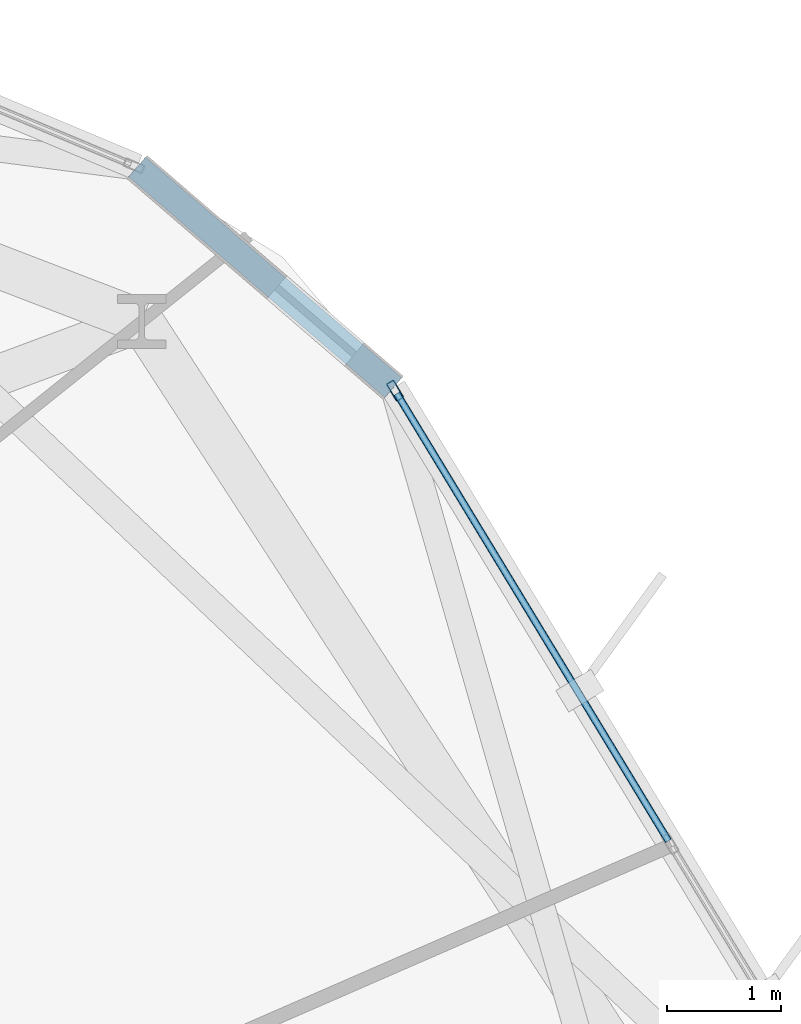
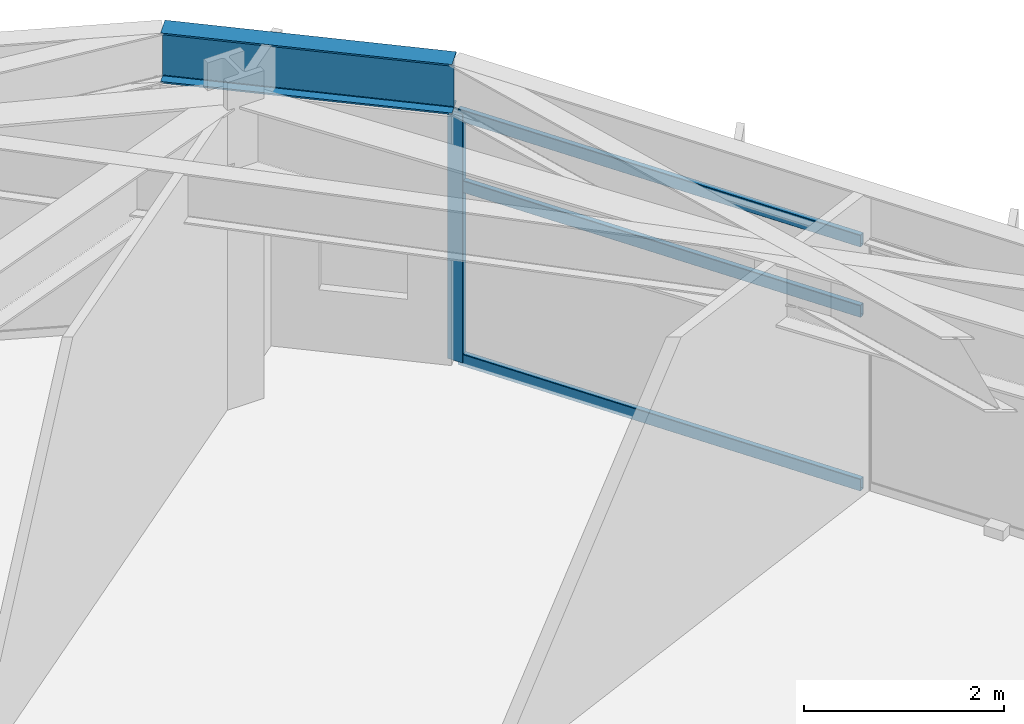
# One storey, part 14 of 21: 4 members, 1 beam, 1 element without a shape of its own.
"""IFC4 building model written with IfcOpenShell, lengths in metres."""

from ifc_helpers import new_model, si_unit, direction, frame, origin, origin_2d, place, context, subcontext, project, spatial, hollow_rectangle, i_section, extrude, material, layer, layer_set, material_profile, profile_set, type_object, element, aggregate, save


model = new_model("IFC4")

# Units and contexts
model_context = context("Model", 3, precision=1e-05, world=origin(), true_north=direction((0.0, 1.0)))
body_context = subcontext(model_context, "Body", "Model", "MODEL_VIEW")
ifc_project = project(units=[si_unit("LENGTHUNIT", "METRE"), si_unit("AREAUNIT", "SQUARE_METRE"), si_unit("VOLUMEUNIT", "CUBIC_METRE"), si_unit("PLANEANGLEUNIT", "RADIAN"), si_unit("MASSUNIT", "GRAM", prefix="KILO")], contexts=[model_context])

# Site, building, storey
site_placement = place(None, origin())
site = spatial("IfcSite", under=ifc_project, at=site_placement, CompositionType="ELEMENT")
building_placement = place(site_placement, origin())
building = spatial("IfcBuilding", under=site, at=building_placement, Name="Soratama Intermodal Tower", CompositionType="ELEMENT")
storey_placement = place(building_placement, frame((0.0, 0.0, 78.60009765625)))
storey = spatial("IfcBuildingStorey", under=building, at=storey_placement, Name="L18", CompositionType="ELEMENT", Elevation=78.60009765625)

# Beam
ifc_material_1 = material(Name="Structural steel ASTM A992 Grade 50", Category="steel")
ifc_material_profile_1 = material_profile(ifc_material_1, i_section(OverallWidth=0.22900390625, OverallDepth=0.612060546875, WebThickness=0.011962890625, FlangeThickness=0.01953125, FilletRadius=0.012939453125, at=origin_2d()), Name="W24X84")
ifc_profile_set_1 = profile_set([ifc_material_profile_1], Name="Structural steel ASTM A992 Grade 50")
beam_type = type_object("IfcBeamType", Name="BM-SPN-W24X84", PredefinedType="SPANDREL", material=ifc_profile_set_1)
beam_placement = place(storey_placement, frame((58.989013671875, 38.968017578125, 3.35400390625), z_axis=(-0.757732632665, 0.652565136515, 0.0), x_axis=(-0.652565136515, -0.757732632665, 0.0)))
element("IfcBeam", 1, at=beam_placement, inside=storey, type_object=beam_type, Name="BS-L18-CRN01", PredefinedType="SPANDREL", context=body_context, shape_type="SweptSolid", body=[
    extrude(i_section(OverallWidth=0.22900390625, OverallDepth=0.612060546875, WebThickness=0.011962890625, FlangeThickness=0.01953125, FilletRadius=0.012939453125, at=origin_2d()), origin(), (0.0, 0.0, 1.0), 2.966796875),
])

# Curtain wall, members
ifc_material_2 = material(Name="Double-glazed aluminium curtain wall", Category="aluminium")
ifc_layer = layer(ifc_material_2, 0.159912109375)
ifc_layer_set = layer_set([ifc_layer], Name="Double-glazed aluminium curtain wall")
curtain_wall_type = type_object("IfcCurtainWallType", Name="CW-SYS-2", PredefinedType="NOTDEFINED", material=ifc_layer_set)
curtain_wall_placement = place(storey_placement, origin())
curtain_wall = element("IfcCurtainWall", 2, at=curtain_wall_placement, inside=storey, type_object=curtain_wall_type, Name="L18 Faceted Curtain Wall F01", PredefinedType="NOTDEFINED")
ifc_material_3 = material(Name="Anodised aluminium AA 6063-T6", Category="aluminium")
ifc_material_profile_2 = material_profile(ifc_material_3, hollow_rectangle(XDim=0.074951171875, YDim=0.179931640625, WallThickness=0.006103515625, InnerFilletRadius=0.006103515625, OuterFilletRadius=0.011962890625, at=origin_2d()), Name="CWM180X75X6")
ifc_profile_set_2 = profile_set([ifc_material_profile_2], Name="Anodised aluminium AA 6063-T6")
member_type_1 = type_object("IfcMemberType", Name="MT-CWM-2", PredefinedType="MULLION", material=ifc_profile_set_2)
member_1_placement = place(storey_placement, frame((59.004150390625, 38.94189453125, 0.0), z_axis=(0.0, 0.0, 1.0), x_axis=(-0.854820684585, -0.518923498414, 0.0)))
member_1 = element("IfcMember", 3, at=member_1_placement, type_object=member_type_1, Name="CW-2 mullion 3", PredefinedType="MULLION", context=body_context, shape_type="SweptSolid", body=[
    extrude(hollow_rectangle(XDim=0.074951171875, YDim=0.179931640625, WallThickness=0.006103515625, InnerFilletRadius=0.006103515625, OuterFilletRadius=0.011962890625, at=origin_2d()), origin(), (0.0, 0.0, 1.0), 3.038818359375),
])
ifc_material_4 = material(Name="Anodised aluminium AA 6063-T6", Category="aluminium")
ifc_material_profile_3 = material_profile(ifc_material_4, hollow_rectangle(XDim=0.06494140625, YDim=0.14990234375, WallThickness=0.0048828125, InnerFilletRadius=0.0048828125, OuterFilletRadius=0.010009765625, at=origin_2d()), Name="CWT150X65X5")
ifc_profile_set_3 = profile_set([ifc_material_profile_3], Name="Anodised aluminium AA 6063-T6")
member_type_2 = type_object("IfcMemberType", Name="TT-CWT-1", PredefinedType="USERDEFINED", material=ifc_profile_set_3)
member_2_placement = place(storey_placement, frame((61.402099609375, 34.991943359375, 0.02978515625), z_axis=(-0.518930950404, 0.85481616077, 0.0), x_axis=(-0.85481616077, -0.518930950404, 0.0)))
member_2 = element("IfcMember", 4, at=member_2_placement, type_object=member_type_2, Name="CW-2 transom 2.1", ObjectType="TRANSOM", PredefinedType="USERDEFINED", context=body_context, shape_type="SweptSolid", body=[
    extrude(hollow_rectangle(XDim=0.06494140625, YDim=0.14990234375, WallThickness=0.0048828125, InnerFilletRadius=0.0048828125, OuterFilletRadius=0.010009765625, at=origin_2d()), origin(), (0.0, 0.0, 1.0), 4.5908203125),
])
member_3_placement = place(storey_placement, frame((61.402099609375, 34.991943359375, 2.14990234375), z_axis=(-0.518930950404, 0.85481616077, 0.0), x_axis=(-0.85481616077, -0.518930950404, 0.0)))
member_3 = element("IfcMember", 5, at=member_3_placement, type_object=member_type_2, Name="CW-2 transom 2.2", ObjectType="TRANSOM", PredefinedType="USERDEFINED", context=body_context, shape_type="SweptSolid", body=[
    extrude(hollow_rectangle(XDim=0.06494140625, YDim=0.14990234375, WallThickness=0.0048828125, InnerFilletRadius=0.0048828125, OuterFilletRadius=0.010009765625, at=origin_2d()), origin(), (0.0, 0.0, 1.0), 4.5908203125),
])
member_4_placement = place(storey_placement, frame((61.402099609375, 34.991943359375, 3.0087890625), z_axis=(-0.518930950404, 0.85481616077, 0.0), x_axis=(-0.85481616077, -0.518930950404, 0.0)))
member_4 = element("IfcMember", 6, at=member_4_placement, type_object=member_type_2, Name="CW-2 transom 2.3", ObjectType="TRANSOM", PredefinedType="USERDEFINED", context=body_context, shape_type="SweptSolid", body=[
    extrude(hollow_rectangle(XDim=0.06494140625, YDim=0.14990234375, WallThickness=0.0048828125, InnerFilletRadius=0.0048828125, OuterFilletRadius=0.010009765625, at=origin_2d()), origin(), (0.0, 0.0, 1.0), 4.5908203125),
])
aggregate(curtain_wall, [member_1, member_2, member_3, member_4])

save(model, "model.ifc")
